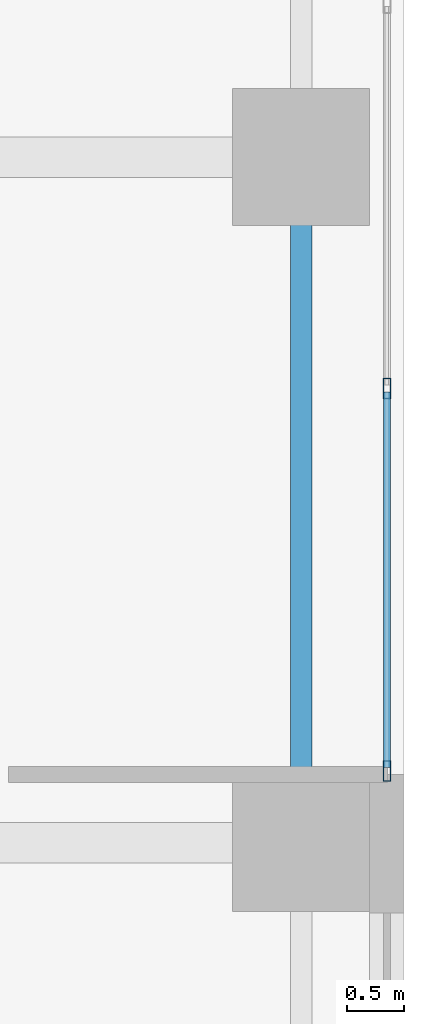
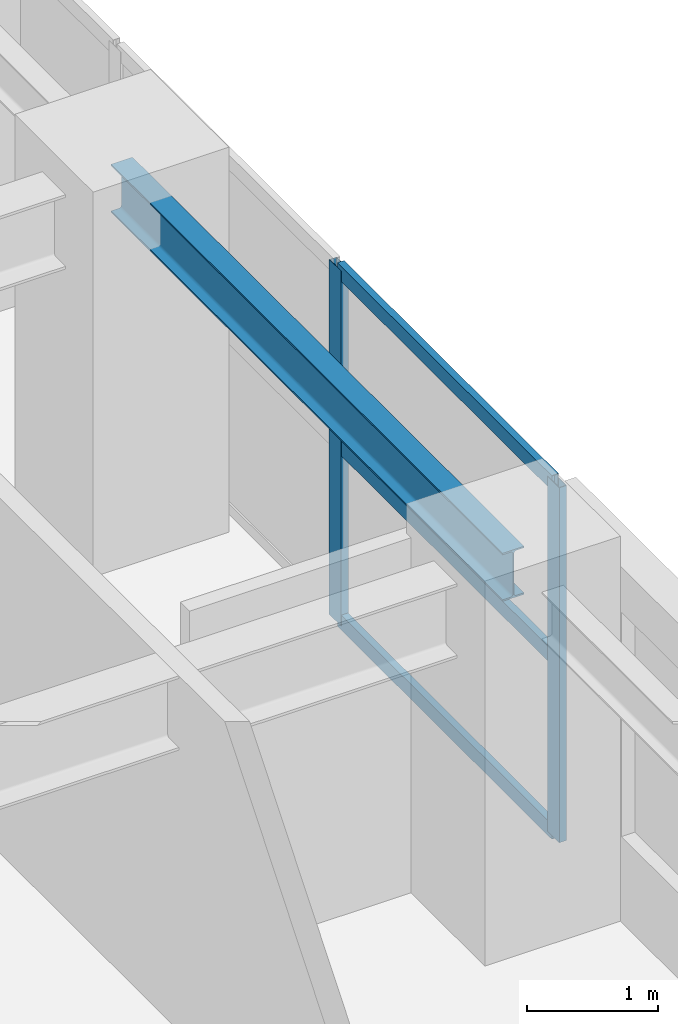
# One storey, part 4 of 19: 5 members, 1 beam, 1 element without a shape of its own.
"""IFC4 building model written with IfcOpenShell, lengths in metres."""

from ifc_helpers import new_model, si_unit, direction, frame, origin, origin_2d, place, context, subcontext, project, spatial, hollow_rectangle, i_section, extrude, source, transform, mapped, material, layer, layer_set, material_profile, profile_set, type_object, element, aggregate, save


model = new_model("IFC4")

# Units and contexts
model_context = context("Model", 3, precision=1e-05, world=origin(), true_north=direction((0.0, 1.0)))
body_context = subcontext(model_context, "Body", "Model", "MODEL_VIEW")
ifc_project = project(units=[si_unit("LENGTHUNIT", "METRE"), si_unit("AREAUNIT", "SQUARE_METRE"), si_unit("VOLUMEUNIT", "CUBIC_METRE"), si_unit("PLANEANGLEUNIT", "RADIAN"), si_unit("MASSUNIT", "GRAM", prefix="KILO")], contexts=[model_context])

# Site, building, storey
site_placement = place(None, origin())
site = spatial("IfcSite", under=ifc_project, at=site_placement, CompositionType="ELEMENT")
building_placement = place(site_placement, origin())
building = spatial("IfcBuilding", under=site, at=building_placement, Name="Khoralis Quay Care Tower", CompositionType="ELEMENT")
storey_placement = place(building_placement, frame((0.0, 0.0, 69.300048828125)))
storey = spatial("IfcBuildingStorey", under=building, at=storey_placement, Name="L18", CompositionType="ELEMENT", Elevation=69.300048828125)

# Beam
ifc_material_1 = material(Name="Steel S355", Category="steel")
ifc_material_profile_1 = material_profile(ifc_material_1, i_section(OverallWidth=0.18994140625, OverallDepth=0.449951171875, WebThickness=0.009521484375, FlangeThickness=0.0146484375, FilletRadius=0.02099609375, at=origin_2d()), Name="Steel S355")
ifc_profile_set_1 = profile_set([ifc_material_profile_1], Name="Steel S355")
beam_type = type_object("IfcBeamType", Name="BM-IPE450", PredefinedType="SPANDREL", material=ifc_profile_set_1)
shared_shape_1 = source(origin(), body_context, "Body", "SweptSolid", [
    extrude(i_section(OverallWidth=0.18994140625, OverallDepth=0.449951171875, WebThickness=0.009521484375, FlangeThickness=0.0146484375, FilletRadius=0.02099609375, at=origin_2d()), origin(), (0.0, 0.0, 1.0), 6.0),
])
beam_placement = place(storey_placement, frame((47.10009765625, 18.0, 3.094970703125), z_axis=(0.0, 1.0, 0.0), x_axis=(-1.0, 0.0, 0.0)))
element("IfcBeam", 1, at=beam_placement, inside=storey, type_object=beam_type, Name="BM-TSP-L18-21", PredefinedType="SPANDREL", context=body_context, shape_type="MappedRepresentation", body=[
    mapped(shared_shape_1, transform((0.0, 0.0, 0.0), scale=1.0)),
])

# Curtain wall, members
ifc_material_2 = material(Name="Pale anodised aluminium", Category="aluminium")
ifc_layer = layer(ifc_material_2, 0.179931640625)
ifc_layer_set = layer_set([ifc_layer], Name="Pale anodised aluminium")
curtain_wall_type = type_object("IfcCurtainWallType", Name="CW-SYS-Z1", PredefinedType="NOTDEFINED", material=ifc_layer_set)
curtain_wall_placement = place(storey_placement, origin())
curtain_wall = element("IfcCurtainWall", 2, at=curtain_wall_placement, inside=storey, type_object=curtain_wall_type, Name="L18 Unitised Curtain Wall CW-L18-P1-E5", PredefinedType="NOTDEFINED")
ifc_material_profile_2 = material_profile(ifc_material_2, hollow_rectangle(XDim=0.06494140625, YDim=0.179931640625, WallThickness=0.00390625, at=origin_2d()), Name="Pale anodised aluminium")
ifc_profile_set_2 = profile_set([ifc_material_profile_2], Name="Pale anodised aluminium")
member_type_1 = type_object("IfcMemberType", Name="CW-MUL-180", PredefinedType="MULLION", material=ifc_profile_set_2)
shared_shape_2 = source(origin(), body_context, "Body", "SweptSolid", [
    extrude(hollow_rectangle(XDim=0.06494140625, YDim=0.179931640625, WallThickness=0.00390625, at=origin_2d()), origin(), (0.0, 0.0, 1.0), 3.320068359375),
])
member_1_placement = place(storey_placement, frame((47.85009765625, 18.6298828125, 0.0), z_axis=(0.0, 0.0, 1.0), x_axis=(-1.0, 0.0, 0.0)))
member_1 = element("IfcMember", 3, at=member_1_placement, type_object=member_type_1, Name="CW1 mullion 1", PredefinedType="MULLION", context=body_context, shape_type="MappedRepresentation", body=[
    mapped(shared_shape_2, transform((0.0, 0.0, 0.0), scale=1.0)),
])
member_2_placement = place(storey_placement, frame((47.85009765625, 21.97509765625, 0.0), z_axis=(0.0, 0.0, 1.0), x_axis=(-1.0, 0.0, 0.0)))
member_2 = element("IfcMember", 4, at=member_2_placement, type_object=member_type_1, Name="CW1 mullion 2", PredefinedType="MULLION", context=body_context, shape_type="MappedRepresentation", body=[
    mapped(shared_shape_2, transform((0.0, 0.0, 0.0), scale=1.0)),
])
ifc_material_profile_3 = material_profile(ifc_material_2, hollow_rectangle(XDim=0.06005859375, YDim=0.139892578125, WallThickness=0.00390625, at=origin_2d()), Name="Pale anodised aluminium")
ifc_profile_set_3 = profile_set([ifc_material_profile_3], Name="Pale anodised aluminium")
member_type_2 = type_object("IfcMemberType", Name="CW-TRN-140", PredefinedType="USERDEFINED", material=ifc_profile_set_3)
shared_shape_3 = source(origin(), body_context, "Body", "SweptSolid", [
    extrude(hollow_rectangle(XDim=0.06005859375, YDim=0.139892578125, WallThickness=0.00390625, at=origin_2d()), origin(), (0.0, 0.0, 1.0), 3.28515625),
])
member_3_placement = place(storey_placement, frame((47.85009765625, 18.659912109375, 0.030029296875), z_axis=(0.0, 1.0, 0.0), x_axis=(-1.0, 0.0, 0.0)))
member_3 = element("IfcMember", 5, at=member_3_placement, type_object=member_type_2, Name="CW1 transom 1.1", ObjectType="TRANSOM", PredefinedType="USERDEFINED", context=body_context, shape_type="MappedRepresentation", body=[
    mapped(shared_shape_3, transform((0.0, 0.0, 0.0), scale=1.0)),
])
member_4_placement = place(storey_placement, frame((47.85009765625, 18.659912109375, 1.659912109375), z_axis=(0.0, 1.0, 0.0), x_axis=(-1.0, 0.0, 0.0)))
member_4 = element("IfcMember", 6, at=member_4_placement, type_object=member_type_2, Name="CW1 transom 1.2", ObjectType="TRANSOM", PredefinedType="USERDEFINED", context=body_context, shape_type="MappedRepresentation", body=[
    mapped(shared_shape_3, transform((0.0, 0.0, 0.0), scale=1.0)),
])
member_5_placement = place(storey_placement, frame((47.85009765625, 18.659912109375, 3.2900390625), z_axis=(0.0, 1.0, 0.0), x_axis=(-1.0, 0.0, 0.0)))
member_5 = element("IfcMember", 7, at=member_5_placement, type_object=member_type_2, Name="CW1 transom 1.3", ObjectType="TRANSOM", PredefinedType="USERDEFINED", context=body_context, shape_type="MappedRepresentation", body=[
    mapped(shared_shape_3, transform((0.0, 0.0, 0.0), scale=1.0)),
])
aggregate(curtain_wall, [member_1, member_2, member_3, member_4, member_5])

save(model, "model.ifc")
